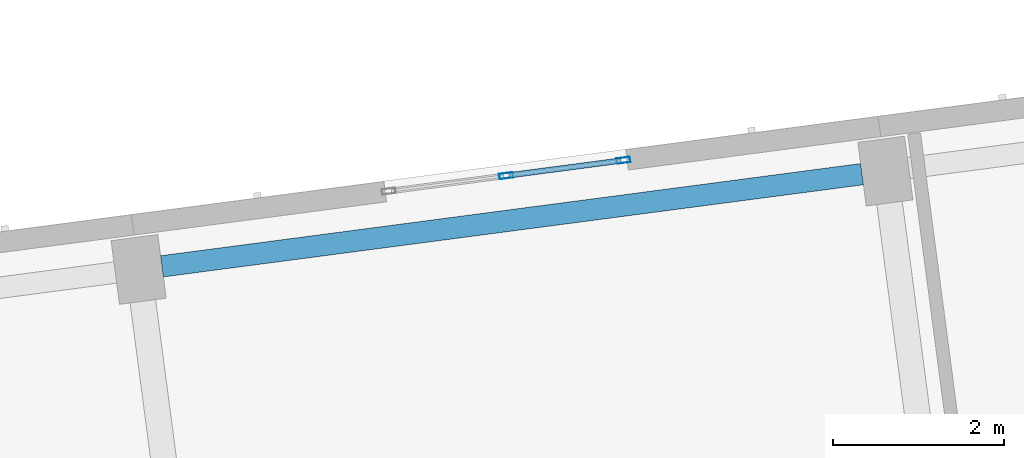
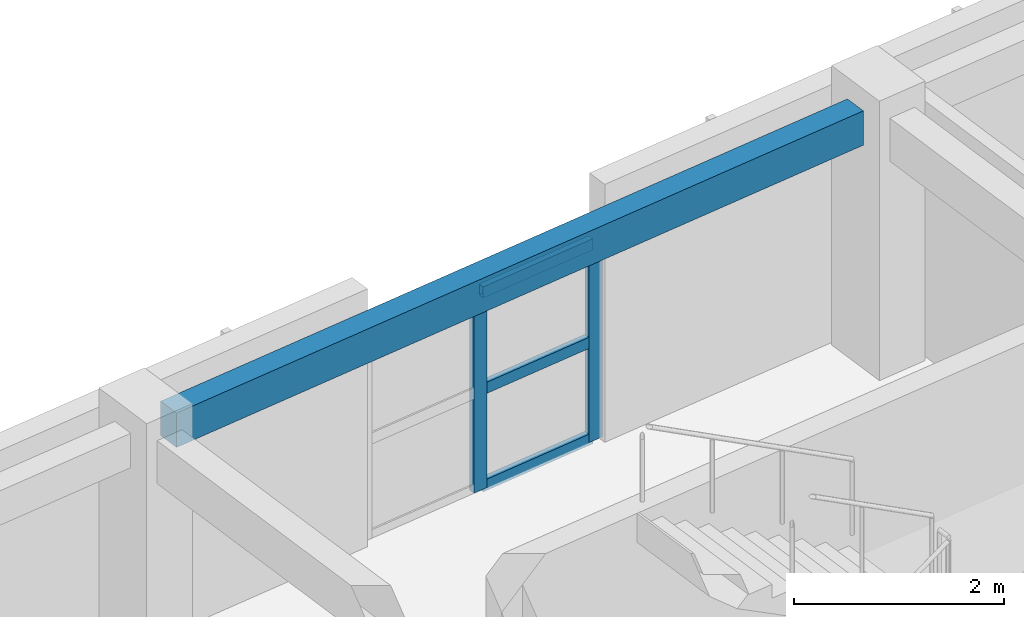
# One storey, part 4 of 68: 5 members, 1 beam, 1 element without a shape of its own.
"""IFC4 building model written with IfcOpenShell, lengths in metres."""

from ifc_helpers import new_model, si_unit, direction, frame, origin, origin_2d, place, context, subcontext, project, spatial, rectangle, hollow_rectangle, extrude, material, material_profile, profile_set, type_object, element, aggregate, save


model = new_model("IFC4")

# Units and contexts
model_context = context("Model", 3, precision=1e-05, world=origin(), true_north=direction((0.0, 1.0)))
body_context = subcontext(model_context, "Body", "Model", "MODEL_VIEW")
ifc_project = project(units=[si_unit("LENGTHUNIT", "METRE"), si_unit("AREAUNIT", "SQUARE_METRE"), si_unit("VOLUMEUNIT", "CUBIC_METRE"), si_unit("PLANEANGLEUNIT", "RADIAN"), si_unit("MASSUNIT", "GRAM", prefix="KILO")], contexts=[model_context])

# Site, building, storey
site_placement = place(None, origin())
site = spatial("IfcSite", under=ifc_project, at=site_placement, CompositionType="ELEMENT")
building_placement = place(site_placement, origin())
building = spatial("IfcBuilding", under=site, at=building_placement, Name="Kestramere Prow Commons", CompositionType="ELEMENT")
storey_placement = place(building_placement, frame((0.0, 0.0, 18.14990234375)))
storey = spatial("IfcBuildingStorey", under=building, at=storey_placement, Name="L05", CompositionType="ELEMENT", Elevation=18.14990234375)

# Curtain wall, members
ifc_material_1 = material(Name="Anodised Aluminium and Low-E Glass", Category="aluminium")
curtain_wall_type = type_object("IfcCurtainWallType", Name="CW-03 Glazed Curtain Wall 2830x2320", PredefinedType="USERDEFINED", material=ifc_material_1)
curtain_wall_placement = place(storey_placement, origin())
curtain_wall = element("IfcCurtainWall", 1, at=curtain_wall_placement, inside=storey, type_object=curtain_wall_type, Name="Block A L05 Stairwell Vertical Glazing 3", ObjectType="GLAZED CURTAIN WALL", PredefinedType="USERDEFINED")
ifc_material_2 = material(Name="Anodised Aluminium 6063-T6", Category="aluminium")
ifc_material_profile_1 = material_profile(ifc_material_2, hollow_rectangle(XDim=0.06494140625, YDim=0.159912109375, WallThickness=0.00390625, at=origin_2d()), Name="ALU-MUL 65x160")
ifc_profile_set_1 = profile_set([ifc_material_profile_1], Name="Anodised Aluminium 6063-T6")
member_type_1 = type_object("IfcMemberType", Name="CW-MUL-65x160", PredefinedType="MULLION", material=ifc_profile_set_1)
member_1_placement = place(storey_placement, frame((30.332763671875, 95.220947265625, 0.0), z_axis=(0.0, 0.0, 1.0), x_axis=(-0.130526494555, 0.991444821571, 0.0)))
member_1 = element("IfcMember", 2, at=member_1_placement, type_object=member_type_1, Name="CW-03 mullion 2", PredefinedType="MULLION", context=body_context, shape_type="SweptSolid", body=[
    extrude(hollow_rectangle(XDim=0.06494140625, YDim=0.159912109375, WallThickness=0.00390625, at=origin_2d()), origin(), (0.0, 0.0, 1.0), 2.320068359375),
])
member_2_placement = place(storey_placement, frame((31.703369140625, 95.4013671875, 0.0), z_axis=(0.0, 0.0, 1.0), x_axis=(-0.130526494555, 0.991444821571, 0.0)))
member_2 = element("IfcMember", 3, at=member_2_placement, type_object=member_type_1, Name="CW-03 mullion 3", PredefinedType="MULLION", context=body_context, shape_type="SweptSolid", body=[
    extrude(hollow_rectangle(XDim=0.06494140625, YDim=0.159912109375, WallThickness=0.00390625, at=origin_2d()), origin(), (0.0, 0.0, 1.0), 2.320068359375),
])
ifc_material_profile_2 = material_profile(ifc_material_2, hollow_rectangle(XDim=0.06494140625, YDim=0.1298828125, WallThickness=0.00390625, at=origin_2d()), Name="ALU-TRN 65x130")
ifc_profile_set_2 = profile_set([ifc_material_profile_2], Name="Anodised Aluminium 6063-T6")
member_type_2 = type_object("IfcMemberType", Name="CW-TRN-65x130", PredefinedType="USERDEFINED", material=ifc_profile_set_2)
member_3_placement = place(storey_placement, frame((30.364990234375, 95.225341796875, 0.03271484375), z_axis=(0.991453033969, 0.130464100171, 0.0), x_axis=(-0.130464100171, 0.991453033969, 0.0)))
member_3 = element("IfcMember", 4, at=member_3_placement, type_object=member_type_2, Name="CW-03 transom 2.1", ObjectType="TRANSOM", PredefinedType="USERDEFINED", context=body_context, shape_type="SweptSolid", body=[
    extrude(hollow_rectangle(XDim=0.06494140625, YDim=0.1298828125, WallThickness=0.00390625, at=origin_2d()), origin(), (0.0, 0.0, 1.0), 1.3173828125),
])
member_4_placement = place(storey_placement, frame((30.364990234375, 95.225341796875, 1.16015625), z_axis=(0.991453033969, 0.130464100171, 0.0), x_axis=(-0.130464100171, 0.991453033969, 0.0)))
member_4 = element("IfcMember", 5, at=member_4_placement, type_object=member_type_2, Name="CW-03 transom 2.2", ObjectType="TRANSOM", PredefinedType="USERDEFINED", context=body_context, shape_type="SweptSolid", body=[
    extrude(hollow_rectangle(XDim=0.06494140625, YDim=0.1298828125, WallThickness=0.00390625, at=origin_2d()), origin(), (0.0, 0.0, 1.0), 1.3173828125),
])
member_5_placement = place(storey_placement, frame((30.364990234375, 95.225341796875, 2.28759765625), z_axis=(0.991453033969, 0.130464100171, 0.0), x_axis=(-0.130464100171, 0.991453033969, 0.0)))
member_5 = element("IfcMember", 6, at=member_5_placement, type_object=member_type_2, Name="CW-03 transom 2.3", ObjectType="TRANSOM", PredefinedType="USERDEFINED", context=body_context, shape_type="SweptSolid", body=[
    extrude(hollow_rectangle(XDim=0.06494140625, YDim=0.1298828125, WallThickness=0.00390625, at=origin_2d()), origin(), (0.0, 0.0, 1.0), 1.3173828125),
])
aggregate(curtain_wall, [member_1, member_2, member_3, member_4, member_5])

# Beam
ifc_material_3 = material(Name="Precast concrete C40/50", Category="concrete")
ifc_material_profile_3 = material_profile(ifc_material_3, rectangle(XDim=0.25, YDim=0.39990234375, at=origin_2d()), Name="PC-SP 250x400")
ifc_profile_set_3 = profile_set([ifc_material_profile_3], Name="Precast concrete C40/50")
beam_type = type_object("IfcBeamType", Name="SP-EXT-01 PC-SP 250x400", PredefinedType="SPANDREL", material=ifc_profile_set_3)
beam_placement = place(storey_placement, frame((26.3115234375, 94.162109375, 2.800048828125), z_axis=(0.991443917843, 0.130533358852, 0.0), x_axis=(-0.130533358852, 0.991443917843, 0.0)))
element("IfcBeam", 7, at=beam_placement, inside=storey, type_object=beam_type, Name="Block A L05 Longitudinal Beam 4-3", PredefinedType="SPANDREL", context=body_context, shape_type="SweptSolid", body=[
    extrude(rectangle(XDim=0.25, YDim=0.39990234375, at=origin_2d()), origin(), (0.0, 0.0, 1.0), 8.25),
])

save(model, "model.ifc")
